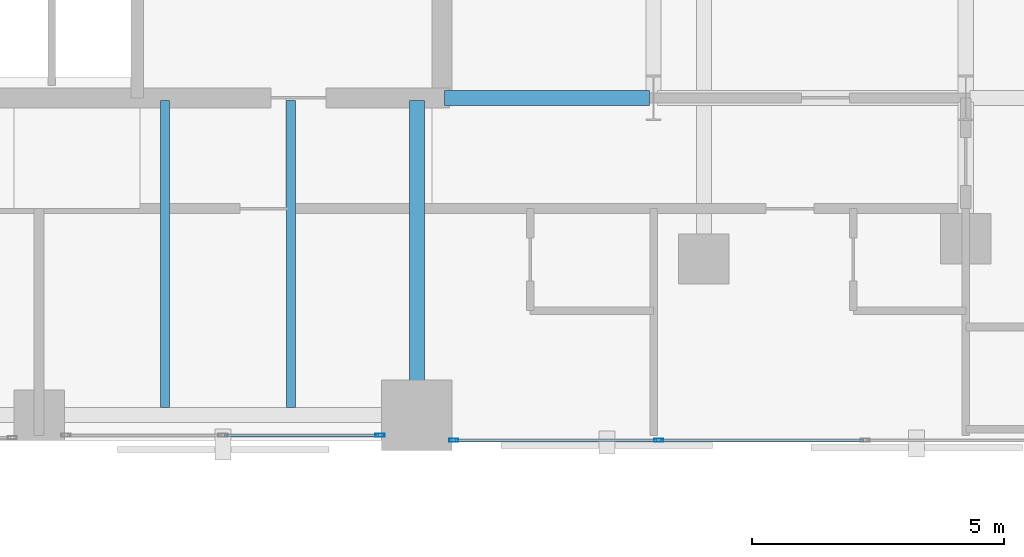
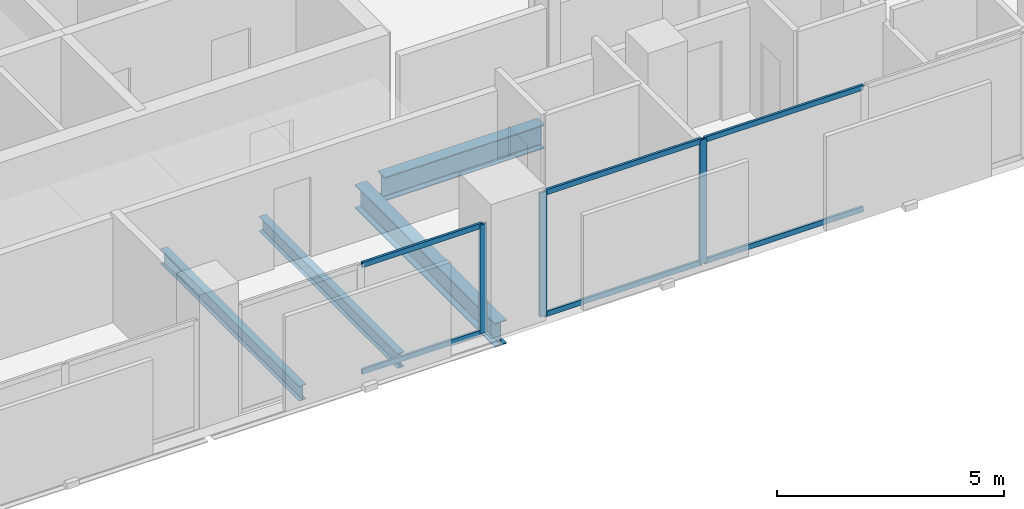
# One storey, part 14 of 31: 9 members, 4 beams, 2 elements without a shape of their own.
"""IFC4 building model written with IfcOpenShell, lengths in metres."""

from ifc_helpers import new_model, si_unit, direction, frame, origin, origin_2d, place, context, subcontext, project, spatial, hollow_rectangle, i_section, extrude, material, layer, layer_set, material_profile, profile_set, type_object, element, aggregate, save


model = new_model("IFC4")

# Units and contexts
model_context = context("Model", 3, precision=1e-05, world=origin(), true_north=direction((0.0, 1.0)))
body_context = subcontext(model_context, "Body", "Model", "MODEL_VIEW")
ifc_project = project(units=[si_unit("LENGTHUNIT", "METRE"), si_unit("AREAUNIT", "SQUARE_METRE"), si_unit("VOLUMEUNIT", "CUBIC_METRE"), si_unit("PLANEANGLEUNIT", "RADIAN"), si_unit("MASSUNIT", "GRAM", prefix="KILO")], contexts=[model_context])

# Site, building, storey
site_placement = place(None, origin())
site = spatial("IfcSite", under=ifc_project, at=site_placement, CompositionType="ELEMENT")
building_placement = place(site_placement, origin())
building = spatial("IfcBuilding", under=site, at=building_placement, Name="Catumbela Crestline Tower", CompositionType="ELEMENT")
storey_placement = place(building_placement, frame((0.0, 0.0, 36.6)))
storey = spatial("IfcBuildingStorey", under=building, at=storey_placement, Name="L08", CompositionType="ELEMENT", Elevation=36.6)

# Beams
ifc_material_1 = material(Name="Structural steel S355J2", Category="steel")
ifc_material_profile_1 = material_profile(ifc_material_1, i_section(OverallWidth=0.3, OverallDepth=0.64, WebThickness=0.0135, FlangeThickness=0.026, FilletRadius=0.027, at=origin_2d()), Name="HEA 650")
ifc_profile_set_1 = profile_set([ifc_material_profile_1], Name="Structural steel S355J2")
beam_type_1 = type_object("IfcBeamType", Name="BG-HEA650", PredefinedType="BEAM", material=ifc_profile_set_1)
beam_1_placement = place(storey_placement, frame((40.05, 30.8, -0.58), z_axis=(1.0, 0.0, 0.0), x_axis=(0.0, 1.0, 0.0)))
element("IfcBeam", 1, at=beam_1_placement, inside=storey, type_object=beam_type_1, Name="L08 Beam BM-L08-M10", PredefinedType="BEAM", context=body_context, shape_type="SweptSolid", body=[
    extrude(i_section(OverallWidth=0.3, OverallDepth=0.64, WebThickness=0.0135, FlangeThickness=0.026, FilletRadius=0.027, at=origin_2d()), origin(), (0.0, 0.0, 1.0), 4.07),
])
beam_2_placement = place(storey_placement, frame((39.5, 24.58, -0.58), z_axis=(0.0, 1.0, 0.0), x_axis=(-1.0, 0.0, 0.0)))
element("IfcBeam", 2, at=beam_2_placement, inside=storey, type_object=beam_type_1, Name="L08 Beam BM-L08-SNS34", PredefinedType="BEAM", context=body_context, shape_type="SweptSolid", body=[
    extrude(i_section(OverallWidth=0.3, OverallDepth=0.64, WebThickness=0.0135, FlangeThickness=0.026, FilletRadius=0.027, at=origin_2d()), origin(), (0.0, 0.0, 1.0), 6.17),
])
ifc_material_profile_2 = material_profile(ifc_material_1, i_section(OverallWidth=0.18, OverallDepth=0.4, WebThickness=0.0086, FlangeThickness=0.0135, FilletRadius=0.021, at=origin_2d()), Name="IPE 400")
ifc_profile_set_2 = profile_set([ifc_material_profile_2], Name="Structural steel S355J2")
beam_type_2 = type_object("IfcBeamType", Name="BJ-IPE400", PredefinedType="JOIST", material=ifc_profile_set_2)
for number, where, z_axis, x_axis, name in (
    (3, (34.5, 24.647, -0.46), (0.0, 1.0, 0.0), (-1.0, 0.0, 0.0), "L08 Joist JS-L08-SP46"),
    (4, (37.0, 24.647, -0.46), (0.0, 1.0, 0.0), (-1.0, 0.0, 0.0), "L08 Joist JS-L08-SP47"),
):
    element("IfcBeam", number, at=place(storey_placement, frame(where, z_axis=z_axis, x_axis=x_axis)), inside=storey, type_object=beam_type_2, Name=name, PredefinedType="JOIST", context=body_context, shape_type="SweptSolid", body=[
        extrude(i_section(OverallWidth=0.18, OverallDepth=0.4, WebThickness=0.0086, FlangeThickness=0.0135, FilletRadius=0.021, at=origin_2d()), origin(), (0.0, 0.0, 1.0), 6.103),
    ])

# Curtain wall, member
ifc_material_2 = material(Name="Aluminium alloy AW-6060-T66", Category="aluminium")
ifc_layer = layer(ifc_material_2, 0.18, Name="Aluminium alloy AW-6060-T66")
ifc_layer_set = layer_set([ifc_layer], Name="Aluminium alloy AW-6060-T66")
curtain_wall_type = type_object("IfcCurtainWallType", Name="CWU-Z1", PredefinedType="USERDEFINED", material=ifc_layer_set)
curtain_wall_1_placement = place(storey_placement, origin())
curtain_wall_1 = element("IfcCurtainWall", 5, at=curtain_wall_1_placement, inside=storey, type_object=curtain_wall_type, Name="L08 Unitised Curtain Wall CW-L08-E3S2", ObjectType="UNITISED", PredefinedType="USERDEFINED")
ifc_material_profile_3 = material_profile(ifc_material_2, hollow_rectangle(XDim=0.065, YDim=0.18, WallThickness=0.004, at=origin_2d()), Name="ALU 180x65x4")
ifc_profile_set_3 = profile_set([ifc_material_profile_3], Name="Aluminium alloy AW-6060-T66")
member_type_1 = type_object("IfcMemberType", Name="MUL-180X65", PredefinedType="MULLION", material=ifc_profile_set_3)
member_1_placement = place(storey_placement, frame((38.7675, 24.1, 0.0), z_axis=(0.0, 0.0, 1.0), x_axis=(0.0, 1.0, 0.0)))
member_1 = element("IfcMember", 6, at=member_1_placement, type_object=member_type_1, Name="CWU-Z1 mullion 3", PredefinedType="MULLION", context=body_context, shape_type="SweptSolid", body=[
    extrude(hollow_rectangle(XDim=0.065, YDim=0.18, WallThickness=0.004, at=origin_2d()), origin(), (0.0, 0.0, 1.0), 2.93),
])

# Curtain wall, members
curtain_wall_2_placement = place(storey_placement, origin())
curtain_wall_2 = element("IfcCurtainWall", 7, at=curtain_wall_2_placement, inside=storey, type_object=curtain_wall_type, Name="L08 Unitised Curtain Wall CW-L08-E3S3", ObjectType="UNITISED", PredefinedType="USERDEFINED")
member_2_placement = place(storey_placement, frame((40.2325, 24.0, 0.0), z_axis=(0.0, 0.0, 1.0), x_axis=(0.0, 1.0, 0.0)))
member_2 = element("IfcMember", 8, at=member_2_placement, type_object=member_type_1, Name="CWU-Z1 mullion 1", PredefinedType="MULLION", context=body_context, shape_type="SweptSolid", body=[
    extrude(hollow_rectangle(XDim=0.065, YDim=0.18, WallThickness=0.004, at=origin_2d()), origin(), (0.0, 0.0, 1.0), 3.33),
])
member_3_placement = place(storey_placement, frame((44.3, 24.0, 0.0), z_axis=(0.0, 0.0, 1.0), x_axis=(0.0, 1.0, 0.0)))
member_3 = element("IfcMember", 9, at=member_3_placement, type_object=member_type_1, Name="CWU-Z1 mullion 2", PredefinedType="MULLION", context=body_context, shape_type="SweptSolid", body=[
    extrude(hollow_rectangle(XDim=0.065, YDim=0.18, WallThickness=0.004, at=origin_2d()), origin(), (0.0, 0.0, 1.0), 3.33),
])

# Member
ifc_material_profile_4 = material_profile(ifc_material_2, hollow_rectangle(XDim=0.06, YDim=0.14, WallThickness=0.004, at=origin_2d()), Name="ALU 140x60x4")
ifc_profile_set_4 = profile_set([ifc_material_profile_4], Name="Aluminium alloy AW-6060-T66")
member_type_2 = type_object("IfcMemberType", Name="TRN-140X60", PredefinedType="USERDEFINED", material=ifc_profile_set_4)
member_4_placement = place(storey_placement, frame((35.6825, 24.1, 0.03), z_axis=(1.0, 0.0, 0.0), x_axis=(0.0, 1.0, 0.0)))
member_4 = element("IfcMember", 10, at=member_4_placement, type_object=member_type_2, Name="CWU-Z1 transom 2.1", ObjectType="TRANSOM", PredefinedType="USERDEFINED", context=body_context, shape_type="SweptSolid", body=[
    extrude(hollow_rectangle(XDim=0.06, YDim=0.14, WallThickness=0.004, at=origin_2d()), origin(), (0.0, 0.0, 1.0), 3.0525),
])

member_5_placement = place(storey_placement, frame((35.6825, 24.1, 2.9), z_axis=(1.0, 0.0, 0.0), x_axis=(0.0, 1.0, 0.0)))
member_5 = element("IfcMember", 11, at=member_5_placement, type_object=member_type_2, Name="CWU-Z1 transom 2.2", ObjectType="TRANSOM", PredefinedType="USERDEFINED", context=body_context, shape_type="SweptSolid", body=[
    extrude(hollow_rectangle(XDim=0.06, YDim=0.14, WallThickness=0.004, at=origin_2d()), origin(), (0.0, 0.0, 1.0), 3.0525),
])

aggregate(curtain_wall_1, [member_1, member_4, member_5])

member_6_placement = place(storey_placement, frame((40.265, 24.0, 0.03), z_axis=(1.0, 0.0, 0.0), x_axis=(0.0, 1.0, 0.0)))
member_6 = element("IfcMember", 12, at=member_6_placement, type_object=member_type_2, Name="CWU-Z1 transom 1.1", ObjectType="TRANSOM", PredefinedType="USERDEFINED", context=body_context, shape_type="SweptSolid", body=[
    extrude(hollow_rectangle(XDim=0.06, YDim=0.14, WallThickness=0.004, at=origin_2d()), origin(), (0.0, 0.0, 1.0), 4.0025),
])

member_7_placement = place(storey_placement, frame((40.265, 24.0, 3.3), z_axis=(1.0, 0.0, 0.0), x_axis=(0.0, 1.0, 0.0)))
member_7 = element("IfcMember", 13, at=member_7_placement, type_object=member_type_2, Name="CWU-Z1 transom 1.2", ObjectType="TRANSOM", PredefinedType="USERDEFINED", context=body_context, shape_type="SweptSolid", body=[
    extrude(hollow_rectangle(XDim=0.06, YDim=0.14, WallThickness=0.004, at=origin_2d()), origin(), (0.0, 0.0, 1.0), 4.0025),
])

member_8_placement = place(storey_placement, frame((44.3325, 24.0, 0.03), z_axis=(1.0, 0.0, 0.0), x_axis=(0.0, 1.0, 0.0)))
member_8 = element("IfcMember", 14, at=member_8_placement, type_object=member_type_2, Name="CWU-Z1 transom 2.1", ObjectType="TRANSOM", PredefinedType="USERDEFINED", context=body_context, shape_type="SweptSolid", body=[
    extrude(hollow_rectangle(XDim=0.06, YDim=0.14, WallThickness=0.004, at=origin_2d()), origin(), (0.0, 0.0, 1.0), 4.035),
])

member_9_placement = place(storey_placement, frame((44.3325, 24.0, 3.3), z_axis=(1.0, 0.0, 0.0), x_axis=(0.0, 1.0, 0.0)))
member_9 = element("IfcMember", 15, at=member_9_placement, type_object=member_type_2, Name="CWU-Z1 transom 2.2", ObjectType="TRANSOM", PredefinedType="USERDEFINED", context=body_context, shape_type="SweptSolid", body=[
    extrude(hollow_rectangle(XDim=0.06, YDim=0.14, WallThickness=0.004, at=origin_2d()), origin(), (0.0, 0.0, 1.0), 4.035),
])

aggregate(curtain_wall_2, [member_2, member_3, member_6, member_7, member_8, member_9])

save(model, "model.ifc")
